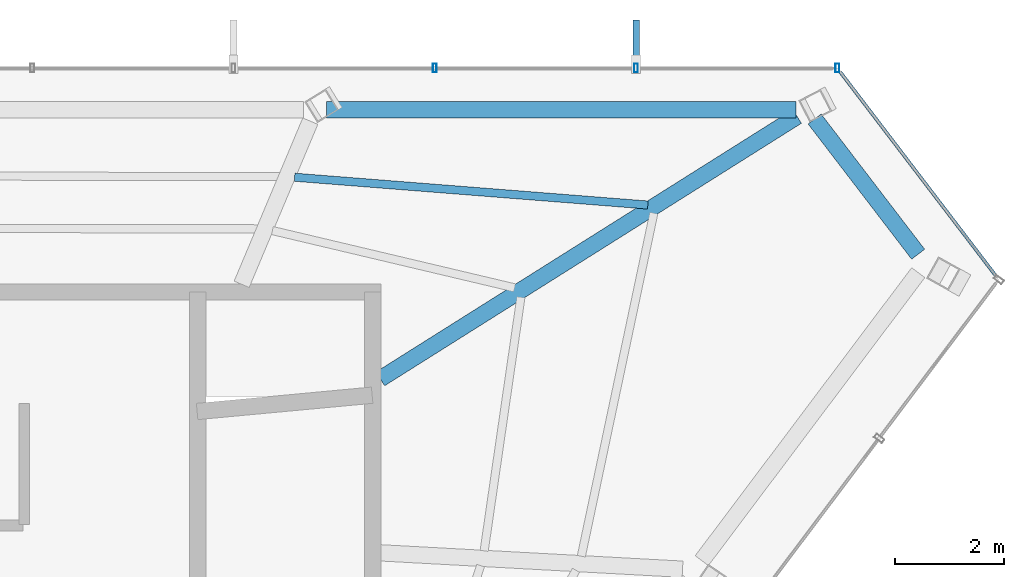
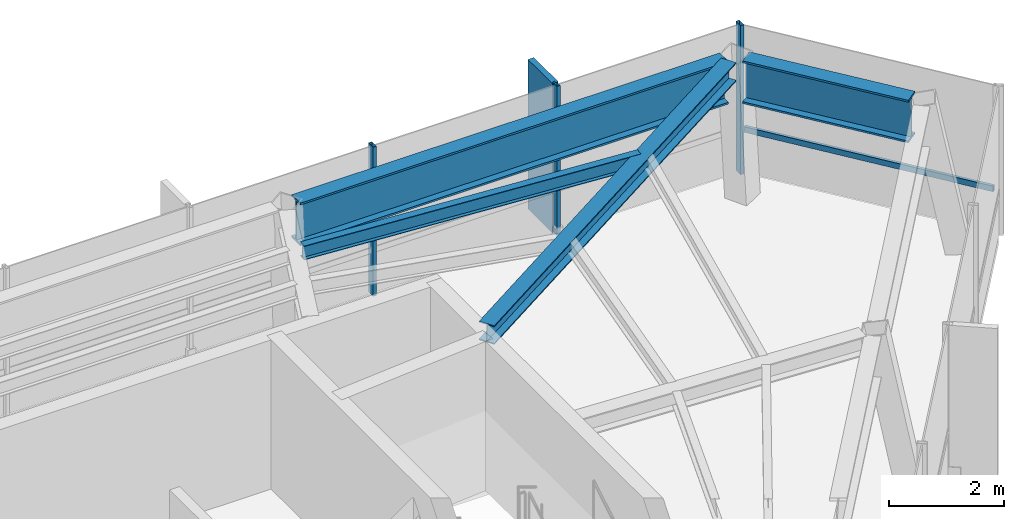
# One storey, part 18 of 22: 5 members, 4 beams, 2 elements without a shape of their own.
"""IFC4 building model written with IfcOpenShell, lengths in metres."""

from ifc_helpers import new_model, si_unit, direction, frame, origin, origin_2d, place, context, subcontext, project, spatial, rectangle, hollow_rectangle, i_section, extrude, material, layer, layer_set, material_profile, profile_set, type_object, element, aggregate, save


model = new_model("IFC4")

# Units and contexts
model_context = context("Model", 3, precision=1e-05, world=origin(), true_north=direction((0.0, 1.0)))
body_context = subcontext(model_context, "Body", "Model", "MODEL_VIEW")
ifc_project = project(units=[si_unit("LENGTHUNIT", "METRE"), si_unit("AREAUNIT", "SQUARE_METRE"), si_unit("VOLUMEUNIT", "CUBIC_METRE"), si_unit("PLANEANGLEUNIT", "RADIAN"), si_unit("MASSUNIT", "GRAM", prefix="KILO")], contexts=[model_context])

# Site, building, storey
site_placement = place(None, origin())
site = spatial("IfcSite", under=ifc_project, at=site_placement, CompositionType="ELEMENT")
building_placement = place(site_placement, origin())
building = spatial("IfcBuilding", under=site, at=building_placement, Name="Zarrinselat Tower", CompositionType="ELEMENT")
storey_placement = place(building_placement, frame((0.0, 0.0, 295.800048828125)))
storey = spatial("IfcBuildingStorey", under=building, at=storey_placement, Name="L76", CompositionType="ELEMENT", Elevation=295.800048828125)

# Beams
ifc_material_1 = material(Name="Steel S355J2", Category="steel")
ifc_material_profile_1 = material_profile(ifc_material_1, i_section(OverallWidth=0.300048828125, OverallDepth=0.39990234375, WebThickness=0.013427734375, FlangeThickness=0.02392578125, at=origin_2d()), Name="HEB 400")
ifc_profile_set_1 = profile_set([ifc_material_profile_1], Name="Steel S355J2")
beam_type_1 = type_object("IfcBeamType", Name="BM-HEB400", PredefinedType="BEAM", material=ifc_profile_set_1)
beam_1_placement = place(storey_placement, frame((48.35009765625, 41.800048828125, 2.97998046875), z_axis=(0.846181544942, 0.532894729755, 0.0), x_axis=(-0.532894729755, 0.846181544942, 0.0)))
element("IfcBeam", 1, at=beam_1_placement, inside=storey, type_object=beam_type_1, Name="L76 Radial Primary Girder RG01", PredefinedType="BEAM", context=body_context, shape_type="SweptSolid", body=[
    extrude(i_section(OverallWidth=0.300048828125, OverallDepth=0.39990234375, WebThickness=0.013427734375, FlangeThickness=0.02392578125, at=origin_2d()), origin(), (0.0, 0.0, 1.0), 9.0615234375),
])
ifc_material_2 = material(Name="Steel S460M", Category="steel")
ifc_material_profile_2 = material_profile(ifc_material_2, i_section(OverallWidth=0.302001953125, OverallDepth=0.909912109375, WebThickness=0.02099609375, FlangeThickness=0.0400390625, at=origin_2d()), Name="HEM 900")
ifc_profile_set_2 = profile_set([ifc_material_profile_2], Name="Steel S460M")
beam_type_2 = type_object("IfcBeamType", Name="BM-HEM900", PredefinedType="BEAM", material=ifc_profile_set_2)
beam_2_placement = place(storey_placement, frame((47.363525390625, 46.75, 2.724853515625), z_axis=(1.0, 0.0, 0.0), x_axis=(0.0, 1.0, 0.0)))
element("IfcBeam", 2, at=beam_2_placement, inside=storey, type_object=beam_type_2, Name="L76 Perimeter Spandrel Girder SP01", PredefinedType="BEAM", context=body_context, shape_type="SweptSolid", body=[
    extrude(i_section(OverallWidth=0.302001953125, OverallDepth=0.909912109375, WebThickness=0.02099609375, FlangeThickness=0.0400390625, at=origin_2d()), origin(), (0.0, 0.0, 1.0), 8.633544921875),
])
beam_3_placement = place(storey_placement, frame((56.339599609375, 46.580810546875, 2.724853515625), z_axis=(0.607886709647, -0.794023770573, 0.0), x_axis=(0.794023770573, 0.607886709647, 0.0)))
element("IfcBeam", 3, at=beam_3_placement, inside=storey, type_object=beam_type_2, Name="L76 Perimeter Spandrel Girder SP15", PredefinedType="BEAM", context=body_context, shape_type="SweptSolid", body=[
    extrude(i_section(OverallWidth=0.302001953125, OverallDepth=0.909912109375, WebThickness=0.02099609375, FlangeThickness=0.0400390625, at=origin_2d()), origin(), (0.0, 0.0, 1.0), 3.133544921875),
])
ifc_material_3 = material(Name="Steel S355J2", Category="steel")
ifc_material_profile_3 = material_profile(ifc_material_3, i_section(OverallWidth=0.14990234375, OverallDepth=0.300048828125, WebThickness=0.007080078125, FlangeThickness=0.0107421875, at=origin_2d()), Name="IPE 300")
ifc_profile_set_3 = profile_set([ifc_material_profile_3], Name="Steel S355J2")
beam_type_3 = type_object("IfcBeamType", Name="BM-IPE300", PredefinedType="JOIST", material=ifc_profile_set_3)
beam_4_placement = place(storey_placement, frame((46.77294921875, 45.509521484375, 3.030029296875), z_axis=(0.996916757552, -0.078466416466, 0.0), x_axis=(0.078466416466, 0.996916757552, 0.0)))
element("IfcBeam", 4, at=beam_4_placement, inside=storey, type_object=beam_type_3, Name="L76 Composite Floor Joist 6-1", PredefinedType="JOIST", context=body_context, shape_type="SweptSolid", body=[
    extrude(i_section(OverallWidth=0.14990234375, OverallDepth=0.300048828125, WebThickness=0.007080078125, FlangeThickness=0.0107421875, at=origin_2d()), origin(), (0.0, 0.0, 1.0), 6.518310546875),
])

# Curtain wall, members
ifc_material_4 = material(Name="Extruded Aluminium Alloy EN AW-6063 T6", Category="aluminium")
ifc_layer = layer(ifc_material_4, 0.169921875)
ifc_layer_set = layer_set([ifc_layer], Name="Extruded Aluminium Alloy EN AW-6063 T6")
curtain_wall_type = type_object("IfcCurtainWallType", Name="CWS-RES", PredefinedType="NOTDEFINED", material=ifc_layer_set)
curtain_wall_1_placement = place(storey_placement, origin())
curtain_wall_1 = element("IfcCurtainWall", 5, at=curtain_wall_1_placement, inside=storey, type_object=curtain_wall_type, Name="L76 Unitised Curtain Wall CW-L76-E01", PredefinedType="NOTDEFINED")
ifc_material_5 = material(Name="Extruded Aluminium Alloy EN AW-6063 T6", Category="aluminium")
ifc_material_profile_4 = material_profile(ifc_material_5, hollow_rectangle(XDim=0.070068359375, YDim=0.159912109375, WallThickness=0.00390625, at=origin_2d()), Name="RHS 160x70x4")
ifc_profile_set_4 = profile_set([ifc_material_profile_4], Name="Extruded Aluminium Alloy EN AW-6063 T6")
member_type_1 = type_object("IfcMemberType", Name="MEM-CW-MUL2", PredefinedType="MULLION", material=ifc_profile_set_4)
member_1_placement = place(storey_placement, frame((56.757080078125, 47.5166015625, 0.0), z_axis=(0.0, 0.0, 1.0), x_axis=(-1.0, 0.0, 0.0)))
member_1 = element("IfcMember", 6, at=member_1_placement, type_object=member_type_1, Name="CW-L76-E01 Mullion 0", PredefinedType="MULLION", context=body_context, shape_type="SweptSolid", body=[
    extrude(hollow_rectangle(XDim=0.070068359375, YDim=0.159912109375, WallThickness=0.00390625, at=origin_2d()), origin(), (0.0, 0.0, 1.0), 3.179931640625),
])
member_2_placement = place(storey_placement, frame((53.054443359375, 47.5166015625, 0.0), z_axis=(0.0, 0.0, 1.0), x_axis=(-1.0, 0.0, 0.0)))
member_2 = element("IfcMember", 7, at=member_2_placement, type_object=member_type_1, Name="CW-L76-E01 Mullion 1", PredefinedType="MULLION", context=body_context, shape_type="SweptSolid", body=[
    extrude(hollow_rectangle(XDim=0.070068359375, YDim=0.159912109375, WallThickness=0.00390625, at=origin_2d()), origin(), (0.0, 0.0, 1.0), 3.179931640625),
])
member_3_placement = place(storey_placement, frame((49.351806640625, 47.5166015625, 0.0), z_axis=(0.0, 0.0, 1.0), x_axis=(-1.0, 0.0, 0.0)))
member_3 = element("IfcMember", 8, at=member_3_placement, type_object=member_type_1, Name="CW-L76-E01 Mullion 2", PredefinedType="MULLION", context=body_context, shape_type="SweptSolid", body=[
    extrude(hollow_rectangle(XDim=0.070068359375, YDim=0.159912109375, WallThickness=0.00390625, at=origin_2d()), origin(), (0.0, 0.0, 1.0), 3.179931640625),
])

# Curtain wall, member
curtain_wall_2_placement = place(storey_placement, origin())
curtain_wall_2 = element("IfcCurtainWall", 9, at=curtain_wall_2_placement, inside=storey, type_object=curtain_wall_type, Name="L76 Unitised Curtain Wall CW-L76-E06", PredefinedType="NOTDEFINED")
ifc_material_6 = material(Name="Extruded Aluminium Alloy EN AW-6063 T6", Category="aluminium")
ifc_material_profile_5 = material_profile(ifc_material_6, hollow_rectangle(XDim=0.06005859375, YDim=0.1201171875, WallThickness=0.00390625, at=origin_2d()), Name="RHS 120x60x4")
ifc_profile_set_5 = profile_set([ifc_material_profile_5], Name="Extruded Aluminium Alloy EN AW-6063 T6")
member_type_2 = type_object("IfcMemberType", Name="MEM-CW-TRN2", PredefinedType="USERDEFINED", material=ifc_profile_set_5)
member_4_placement = place(storey_placement, frame((59.6728515625, 43.697265625, 0.949951171875), z_axis=(-0.606771475244, 0.79487632801, 0.0), x_axis=(-0.79487632801, -0.606771475244, 0.0)))
member_4 = element("IfcMember", 10, at=member_4_placement, type_object=member_type_2, Name="CW-L76-E06 Transom 1", ObjectType="TRANSOM", PredefinedType="USERDEFINED", context=body_context, shape_type="SweptSolid", body=[
    extrude(hollow_rectangle(XDim=0.06005859375, YDim=0.1201171875, WallThickness=0.00390625, at=origin_2d()), origin(), (0.0, 0.0, 1.0), 4.71533203125),
])
aggregate(curtain_wall_2, [member_4])

# Member
ifc_material_7 = material(Name="Honed Cream Travertine Stone", Category="masonry")
ifc_material_profile_6 = material_profile(ifc_material_7, rectangle(XDim=0.1201171875, YDim=0.85009765625, at=origin_2d()), Name="FIN 850x120")
ifc_profile_set_6 = profile_set([ifc_material_profile_6], Name="Honed Cream Travertine Stone")
member_type_3 = type_object("IfcMemberType", Name="MEM-STONE-FIN", PredefinedType="USERDEFINED", material=ifc_profile_set_6)
member_5_placement = place(storey_placement, frame((53.054443359375, 47.976806640625, 0.0), z_axis=(0.0, 0.0, 1.0), x_axis=(1.0, 0.0, 0.0)))
member_5 = element("IfcMember", 11, at=member_5_placement, type_object=member_type_3, Name="L76 Stone Shading Fin CW-L76-E01-01", ObjectType="FIN", PredefinedType="USERDEFINED", context=body_context, shape_type="SweptSolid", body=[
    extrude(rectangle(XDim=0.1201171875, YDim=0.85009765625, at=origin_2d()), origin(), (0.0, 0.0, 1.0), 3.179931640625),
])

aggregate(curtain_wall_1, [member_1, member_2, member_5, member_3])

save(model, "model.ifc")
